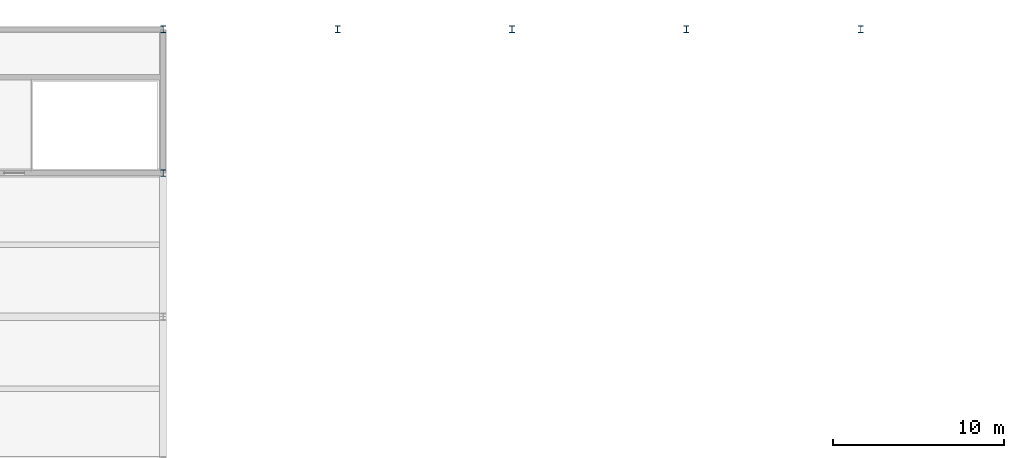
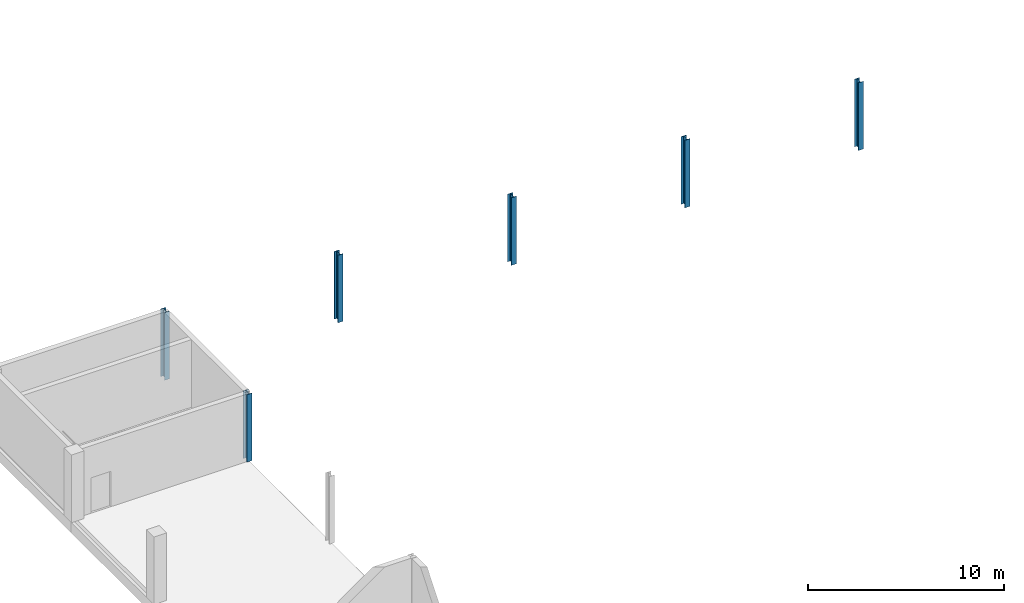
# One storey, part 18 of 157: 6 columns.
"""IFC4 building model written with IfcOpenShell, lengths in metres."""

from ifc_helpers import new_model, si_unit, direction, frame, origin, origin_2d, place, context, subcontext, project, spatial, i_section, extrude, material, material_profile, profile_set, type_object, element, save


model = new_model("IFC4")

# Units and contexts
model_context = context("Model", 3, precision=1e-05, world=origin(), true_north=direction((0.0, 1.0)))
body_context = subcontext(model_context, "Body", "Model", "MODEL_VIEW")
ifc_project = project(units=[si_unit("LENGTHUNIT", "METRE"), si_unit("AREAUNIT", "SQUARE_METRE"), si_unit("VOLUMEUNIT", "CUBIC_METRE"), si_unit("PLANEANGLEUNIT", "RADIAN"), si_unit("MASSUNIT", "GRAM", prefix="KILO")], contexts=[model_context])

# Site, building, storey
site_placement = place(None, origin())
site = spatial("IfcSite", under=ifc_project, at=site_placement, CompositionType="ELEMENT")
building_placement = place(site_placement, origin())
building = spatial("IfcBuilding", under=site, at=building_placement, Name="Brelvane Convention Centre", CompositionType="ELEMENT")
storey_placement = place(building_placement, frame((0.0, 0.0, 10.800048828125)))
storey = spatial("IfcBuildingStorey", under=building, at=storey_placement, Name="L02", CompositionType="ELEMENT", Elevation=10.800048828125)

# Columns
ifc_material = material(Name="Steel E350 (350 MPa)", Category="steel")
ifc_material_profile = material_profile(ifc_material, i_section(OverallWidth=0.300048828125, OverallDepth=0.39990234375, WebThickness=0.013427734375, FlangeThickness=0.02392578125, FilletRadius=0.027099609375, at=origin_2d()), Name="WPB 400x300")
ifc_profile_set = profile_set([ifc_material_profile], Name="Steel E350 (350 MPa)")
column_type = type_object("IfcColumnType", Name="Steel Column C-ST7 (WPB 400x300)", PredefinedType="COLUMN", material=ifc_profile_set)
for number, where, z_axis, x_axis, name in (
    (1, (173.39990234375, 135.60009765625, 0.0), (0.0, 0.0, 1.0), (1.0, 0.0, 0.0), "Column 18-P (L02)"),
    (2, (173.39990234375, 144.0, 0.0), (0.0, 0.0, 1.0), (1.0, 0.0, 0.0), "Column 18-Q (L02)"),
    (3, (183.60009765625, 144.0, 0.0), (0.0, 0.0, 1.0), (1.0, 0.0, 0.0), "Column 19-Q (L02)"),
    (4, (193.800048828125, 144.0, 0.0), (0.0, 0.0, 1.0), (1.0, 0.0, 0.0), "Column 20-Q (L02)"),
    (5, (204.0, 144.0, 0.0), (0.0, 0.0, 1.0), (1.0, 0.0, 0.0), "Column 21-Q (L02)"),
    (6, (214.199951171875, 144.0, 0.0), (0.0, 0.0, 1.0), (1.0, 0.0, 0.0), "Column 22-Q (L02)"),
):
    element("IfcColumn", number, at=place(storey_placement, frame(where, z_axis=z_axis, x_axis=x_axis)), inside=storey, type_object=column_type, Name=name, PredefinedType="COLUMN", context=body_context, shape_type="SweptSolid", body=[
        extrude(i_section(OverallWidth=0.300048828125, OverallDepth=0.39990234375, WebThickness=0.013427734375, FlangeThickness=0.02392578125, FilletRadius=0.027099609375, at=origin_2d()), origin(), (0.0, 0.0, 1.0), 4.199951171875),
    ])

save(model, "model.ifc")
